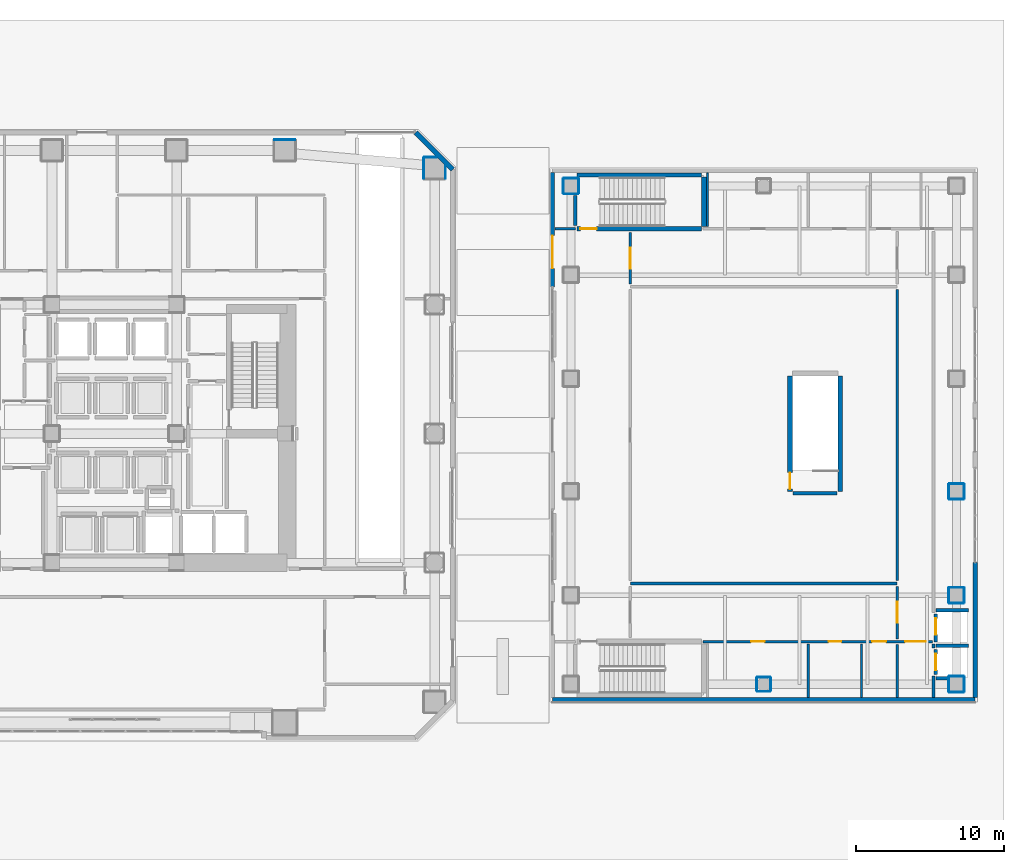
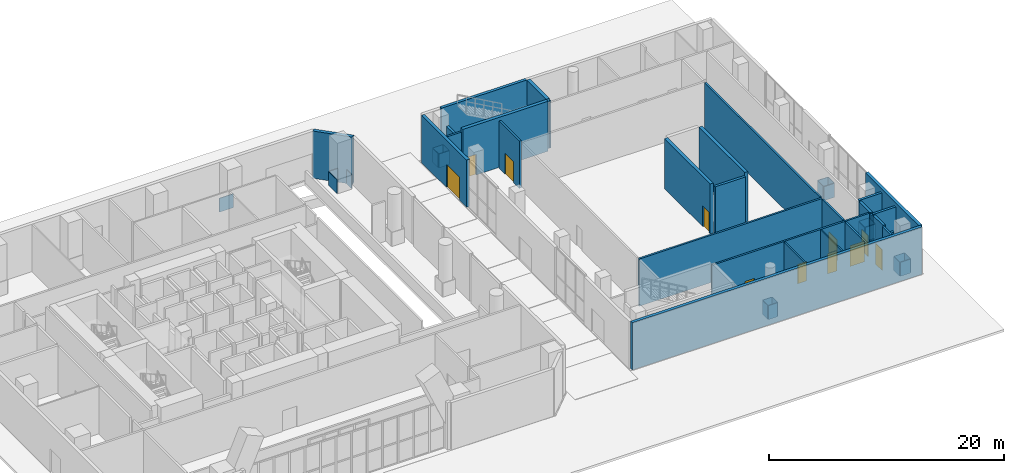
# One storey, part 24 of 30: 52 walls, 11 doors, 11 openings.
"""IFC4 building model written with IfcOpenShell, lengths in metres."""

from ifc_helpers import new_model, si_unit, direction, frame, frame_2d, origin, place, context, subcontext, project, spatial, rectangle, extrude, material, layer, layer_set, type_object, element, fill, save


model = new_model("IFC4")

# Units and contexts
model_context = context("Model", 3, precision=1e-05, world=origin(), true_north=direction((0.0, 1.0)))
body_context = subcontext(model_context, "Body", "Model", "MODEL_VIEW")
ifc_project = project(units=[si_unit("LENGTHUNIT", "METRE"), si_unit("AREAUNIT", "SQUARE_METRE"), si_unit("VOLUMEUNIT", "CUBIC_METRE"), si_unit("PLANEANGLEUNIT", "RADIAN"), si_unit("MASSUNIT", "GRAM", prefix="KILO")], contexts=[model_context])

# Site, building, storey
site_placement = place(None, origin())
site = spatial("IfcSite", under=ifc_project, at=site_placement, CompositionType="ELEMENT")
building_placement = place(site_placement, origin())
building = spatial("IfcBuilding", under=site, at=building_placement, Name="Solanera Arch Residences", CompositionType="ELEMENT")
storey_placement = place(building_placement, origin())
storey = spatial("IfcBuildingStorey", under=building, at=storey_placement, Name="L00", CompositionType="ELEMENT", Elevation=0.0)

# Walls
ifc_material_1 = material(Name="Fire-Rated Gypsum Stud Partition", Category="gypsum")
ifc_layer_1 = layer(ifc_material_1, 0.06005859375)
ifc_layer_set_1 = layer_set([ifc_layer_1], Name="Fire-Rated Gypsum Stud Partition")
wall_type_1 = type_object("IfcWallType", Name="Column Acoustic Furring Wall 60", PredefinedType="PARTITIONING", material=ifc_layer_set_1)
wall_1_placement = place(storey_placement, frame((35.800048828125, 50.531982421875, 0.0), z_axis=(0.0, 0.0, 1.0), x_axis=(1.0, 0.0, 0.0)))
element("IfcWall", 1, at=wall_1_placement, inside=storey, type_object=wall_type_1, Name="L00 Column Furring 14N", PredefinedType="PARTITIONING", context=body_context, shape_type="SweptSolid", body=[
    extrude(rectangle(XDim=1.39990234375, YDim=0.06005859375, at=frame_2d((0.699951171875, 0.0))), origin(), (0.0, 0.0, 1.0), 1.449951171875),
])
wall_2_placement = place(storey_placement, frame((45.89990234375, 49.33203125, 0.0), z_axis=(0.0, 0.0, 1.0), x_axis=(1.0, 0.0, 0.0)))
element("IfcWall", 2, at=wall_2_placement, inside=storey, type_object=wall_type_1, Name="L00 Column Furring 24N", PredefinedType="PARTITIONING", context=body_context, shape_type="SweptSolid", body=[
    extrude(rectangle(XDim=0.861083984375, YDim=0.06005859375, at=frame_2d((0.4306640625, 0.0))), origin(), (0.0, 0.0, 1.0), 1.449951171875),
])
wall_3_placement = place(storey_placement, frame((45.867919921875, 47.89990234375, 0.0), z_axis=(0.0, 0.0, 1.0), x_axis=(0.0, 1.0, 0.0)))
element("IfcWall", 3, at=wall_3_placement, inside=storey, type_object=wall_type_1, Name="L00 Column Furring 24W", PredefinedType="PARTITIONING", context=body_context, shape_type="SweptSolid", body=[
    extrude(rectangle(XDim=1.400146484375, YDim=0.06005859375, at=frame_2d((0.7001953125, 0.0))), origin(), (0.0, 0.0, 1.0), 1.449951171875),
])
wall_4_placement = place(storey_placement, frame((47.33203125, 47.89990234375, 0.0), z_axis=(0.0, 0.0, 1.0), x_axis=(0.0, 1.0, 0.0)))
element("IfcWall", 4, at=wall_4_placement, inside=storey, type_object=wall_type_1, Name="L00 Column Furring 24E", PredefinedType="PARTITIONING", context=body_context, shape_type="SweptSolid", body=[
    extrude(rectangle(XDim=0.861083984375, YDim=0.06005859375, at=frame_2d((0.4306640625, 0.0))), origin(), (0.0, 0.0, 1.0), 1.449951171875),
])
for number, where, z_axis, x_axis, name in (
    (5, (55.300048828125, 46.867919921875, 0.0), (0.0, 0.0, 1.0), (1.0, 0.0, 0.0), "L00 Column Furring 30S"),
    (6, (55.300048828125, 47.931884765625, 0.0), (0.0, 0.0, 1.0), (1.0, 0.0, 0.0), "L00 Column Furring 30N"),
    (7, (55.26806640625, 46.89990234375, 0.0), (0.0, 0.0, 1.0), (0.0, 1.0, 0.0), "L00 Column Furring 30W"),
    (8, (56.33203125, 46.89990234375, 0.0), (0.0, 0.0, 1.0), (0.0, 1.0, 0.0), "L00 Column Furring 30E"),
    (9, (81.300048828125, 13.26806640625, 0.0), (0.0, 0.0, 1.0), (1.0, 0.0, 0.0), "L00 Column Furring 31S"),
    (10, (81.300048828125, 14.33203125, 0.0), (0.0, 0.0, 1.0), (1.0, 0.0, 0.0), "L00 Column Furring 31N"),
    (11, (81.26806640625, 13.300048828125, 0.0), (0.0, 0.0, 1.0), (0.0, 1.0, 0.0), "L00 Column Furring 31W"),
    (12, (82.33203125, 13.300048828125, 0.0), (0.0, 0.0, 1.0), (0.0, 1.0, 0.0), "L00 Column Furring 31E"),
    (13, (81.300048828125, 19.26806640625, 0.0), (0.0, 0.0, 1.0), (1.0, 0.0, 0.0), "L00 Column Furring 32S"),
    (14, (81.300048828125, 20.33203125, 0.0), (0.0, 0.0, 1.0), (1.0, 0.0, 0.0), "L00 Column Furring 32N"),
    (15, (81.26806640625, 19.300048828125, 0.0), (0.0, 0.0, 1.0), (0.0, 1.0, 0.0), "L00 Column Furring 32W"),
    (16, (82.33203125, 19.300048828125, 0.0), (0.0, 0.0, 1.0), (0.0, 1.0, 0.0), "L00 Column Furring 32E"),
    (17, (81.300048828125, 26.26806640625, 0.0), (0.0, 0.0, 1.0), (1.0, 0.0, 0.0), "L00 Column Furring 33S"),
    (18, (81.300048828125, 27.33203125, 0.0), (0.0, 0.0, 1.0), (1.0, 0.0, 0.0), "L00 Column Furring 33N"),
    (19, (81.26806640625, 26.300048828125, 0.0), (0.0, 0.0, 1.0), (0.0, 1.0, 0.0), "L00 Column Furring 33W"),
    (20, (82.33203125, 26.300048828125, 0.0), (0.0, 0.0, 1.0), (0.0, 1.0, 0.0), "L00 Column Furring 33E"),
):
    element("IfcWall", number, at=place(storey_placement, frame(where, z_axis=z_axis, x_axis=x_axis)), inside=storey, type_object=wall_type_1, Name=name, PredefinedType="PARTITIONING", context=body_context, shape_type="SweptSolid", body=[
        extrude(rectangle(XDim=1.0, YDim=0.06005859375, at=frame_2d((0.5, 0.0))), origin(), (0.0, 0.0, 1.0), 1.449951171875),
    ])
for number, where, z_axis, x_axis, name in (
    (21, (68.35009765625, 13.318115234375, 0.0), (0.0, 0.0, 1.0), (1.0, 0.0, 0.0), "L00 Column Furring 37S"),
    (22, (68.35009765625, 14.281982421875, 0.0), (0.0, 0.0, 1.0), (1.0, 0.0, 0.0), "L00 Column Furring 37N"),
    (23, (68.318115234375, 13.35009765625, 0.0), (0.0, 0.0, 1.0), (0.0, 1.0, 0.0), "L00 Column Furring 37W"),
    (24, (69.281982421875, 13.35009765625, 0.0), (0.0, 0.0, 1.0), (0.0, 1.0, 0.0), "L00 Column Furring 37E"),
):
    element("IfcWall", number, at=place(storey_placement, frame(where, z_axis=z_axis, x_axis=x_axis)), inside=storey, type_object=wall_type_1, Name=name, PredefinedType="PARTITIONING", context=body_context, shape_type="SweptSolid", body=[
        extrude(rectangle(XDim=0.89990234375, YDim=0.06005859375, at=frame_2d((0.449951171875, 0.0))), origin(), (0.0, 0.0, 1.0), 1.449951171875),
    ])
ifc_material_2 = material(Name="Concrete C40/50 (f'c = 45 MPa)", Category="concrete")
ifc_layer_2 = layer(ifc_material_2, 0.320068359375)
ifc_layer_set_2 = layer_set([ifc_layer_2], Name="Concrete C40/50 (f'c = 45 MPa)")
wall_type_2 = type_object("IfcWallType", Name="Core Shear Wall CW-320", PredefinedType="SHEAR", material=ifc_layer_set_2)
wall_5_placement = place(storey_placement, frame((64.760009765625, 44.679931640625, 0.0), z_axis=(0.0, 0.0, 1.0), x_axis=(0.0, 1.0, 0.0)))
element("IfcWall", 25, at=wall_5_placement, inside=storey, type_object=wall_type_2, Name="L00 Stair ST-H2 East Shear Wall", PredefinedType="SHEAR", context=body_context, shape_type="SweptSolid", body=[
    extrude(rectangle(XDim=3.320068359375, YDim=0.320068359375, at=frame_2d((1.66015625, 0.0))), origin(), (0.0, 0.0, 1.0), 5.199951171875),
])
wall_6_placement = place(storey_placement, frame((56.199951171875, 48.139892578125, 0.0), z_axis=(0.0, 0.0, 1.0), x_axis=(1.0, 0.0, 0.0)))
element("IfcWall", 26, at=wall_6_placement, inside=storey, type_object=wall_type_2, Name="L00 Stair ST-H2 North Shear Wall", PredefinedType="SHEAR", context=body_context, shape_type="SweptSolid", body=[
    extrude(rectangle(XDim=8.400146484375, YDim=0.280029296875, at=frame_2d((4.2001953125, 0.0))), origin(), (0.0, 0.0, 1.0), 5.199951171875),
])

# Wall, opening, door
wall_7_placement = place(storey_placement, frame((56.199951171875, 44.52001953125, 0.0), z_axis=(0.0, 0.0, 1.0), x_axis=(1.0, 0.0, 0.0)))
wall_7 = element("IfcWall", 27, at=wall_7_placement, inside=storey, type_object=wall_type_2, Name="L00 Stair ST-H2 South Shear Wall", PredefinedType="SHEAR", context=body_context, shape_type="SweptSolid", body=[
    extrude(rectangle(XDim=8.400146484375, YDim=0.320068359375, at=frame_2d((4.2001953125, 0.0))), origin(), (0.0, 0.0, 1.0), 5.199951171875),
])
opening_1_placement = place(wall_7_placement, frame((0.22998046875, 0.0, 0.0)))
opening_1 = element("IfcOpeningElement", 28, at=opening_1_placement, cuts=wall_7, Name="Opening DF-01", PredefinedType="OPENING", context=body_context, shape_type="SweptSolid", body=[
    extrude(rectangle(XDim=1.10009765625, YDim=2.14990234375, at=frame_2d((0.550048828125, 1.074951171875))), frame((0.0, 0.169921875, 0.0), z_axis=(0.0, -1.0, 0.0), x_axis=(1.0, 0.0, 0.0)), (0.0, 0.0, 1.0), 0.3401),
])
ifc_material_3 = material(Name="Fire-Rated Architectural Hardwood", Category="wood")
door_type_1 = type_object("IfcDoorType", Name="Stair Exit Fire Door DF-01", OperationType="NOTDEFINED", PredefinedType="DOOR", material=ifc_material_3)
door_1_placement = place(opening_1_placement, origin())
door_1 = element("IfcDoor", 29, at=door_1_placement, inside=storey, type_object=door_type_1, Name="DR-L00-STAIR-ST-H2", OperationType="SINGLE_SWING_LEFT", OverallHeight=2.14990234375, OverallWidth=1.10009765625, PredefinedType="DOOR", context=body_context, shape_type="SweptSolid", body=[
    extrude(rectangle(XDim=1.10009765625, YDim=2.14990234375, at=frame_2d((0.550048828125, 1.074951171875))), frame((0.0, 0.02490234375, 0.0), z_axis=(0.0, -1.0, 0.0), x_axis=(1.0, 0.0, 0.0)), (0.0, 0.0, 1.0), 0.050048828125),
])
fill(opening_1, door_1)

# Wall
wall_8_placement = place(storey_placement, frame((73.9599609375, 26.800048828125, 0.0), z_axis=(0.0, 0.0, 1.0), x_axis=(0.0, 1.0, 0.0)))
element("IfcWall", 30, at=wall_8_placement, inside=storey, type_object=wall_type_2, Name="L00 Stair ST-B1 East Shear Wall", PredefinedType="SHEAR", context=body_context, shape_type="SweptSolid", body=[
    extrude(rectangle(XDim=7.800048828125, YDim=0.320068359375, at=frame_2d((3.89990234375, 0.0))), origin(), (0.0, 0.0, 1.0), 5.199951171875),
])

# Wall, opening, door
wall_9_placement = place(storey_placement, frame((70.56005859375, 26.800048828125, 0.0), z_axis=(0.0, 0.0, 1.0), x_axis=(0.0, 1.0, 0.0)))
wall_9 = element("IfcWall", 31, at=wall_9_placement, inside=storey, type_object=wall_type_2, Name="L00 Stair ST-B1 West Shear Wall", PredefinedType="SHEAR", context=body_context, shape_type="SweptSolid", body=[
    extrude(rectangle(XDim=7.800048828125, YDim=0.320068359375, at=frame_2d((3.89990234375, 0.0))), origin(), (0.0, 0.0, 1.0), 5.199951171875),
])
opening_2_placement = place(wall_9_placement, frame((0.169921875, 0.0, 0.0)))
opening_2 = element("IfcOpeningElement", 32, at=opening_2_placement, cuts=wall_9, Name="Opening DF-01", PredefinedType="OPENING", context=body_context, shape_type="SweptSolid", body=[
    extrude(rectangle(XDim=1.10009765625, YDim=2.14990234375, at=frame_2d((0.550048828125, 1.074951171875))), frame((0.0, 0.169921875, 0.0), z_axis=(0.0, -1.0, 0.0), x_axis=(1.0, 0.0, 0.0)), (0.0, 0.0, 1.0), 0.3401),
])
door_2_placement = place(opening_2_placement, origin())
door_2 = element("IfcDoor", 33, at=door_2_placement, inside=storey, type_object=door_type_1, Name="DR-L00-STAIR-ST-B1", OperationType="SINGLE_SWING_RIGHT", OverallHeight=2.14990234375, OverallWidth=1.10009765625, PredefinedType="DOOR", context=body_context, shape_type="SweptSolid", body=[
    extrude(rectangle(XDim=1.10009765625, YDim=2.14990234375, at=frame_2d((0.550048828125, 1.074951171875))), frame((0.0, 0.02490234375, 0.0), z_axis=(0.0, -1.0, 0.0), x_axis=(1.0, 0.0, 0.0)), (0.0, 0.0, 1.0), 0.050048828125),
])
fill(opening_2, door_2)

# Wall, openings, doors
ifc_material_4 = material(Name="Autoclaved Aerated Concrete Blockwork", Category="masonry")
ifc_layer_3 = layer(ifc_material_4, 0.179931640625)
ifc_layer_set_3 = layer_set([ifc_layer_3], Name="Autoclaved Aerated Concrete Blockwork")
wall_type_3 = type_object("IfcWallType", Name="Corridor Fire Partition 180", PredefinedType="PARTITIONING", material=ifc_layer_set_3)
wall_10_placement = place(storey_placement, frame((64.699951171875, 16.679931640625, 0.0), z_axis=(0.0, 0.0, 1.0), x_axis=(1.0, 0.0, 0.0)))
wall_10 = element("IfcWall", 34, at=wall_10_placement, inside=storey, type_object=wall_type_3, Name="L00 Interior Partition H13 2", PredefinedType="PARTITIONING", context=body_context, shape_type="SweptSolid", body=[
    extrude(rectangle(XDim=15.48193359375, YDim=0.179931640625, at=frame_2d((7.740966796875, 0.0))), origin(), (0.0, 0.0, 1.0), 4.919921875),
])
opening_3_placement = place(wall_10_placement, frame((13.625, 0.0, 0.0)))
opening_3 = element("IfcOpeningElement", 35, at=opening_3_placement, cuts=wall_10, Name="Opening DF-03", PredefinedType="OPENING", context=body_context, shape_type="SweptSolid", body=[
    extrude(rectangle(XDim=1.39990234375, YDim=2.14990234375, at=frame_2d((0.699951171875, 1.074951171875))), frame((0.0, 0.10009765625, 0.0), z_axis=(0.0, -1.0, 0.0), x_axis=(1.0, 0.0, 0.0)), (0.0, 0.0, 1.0), 0.1999),
])
opening_4_placement = place(wall_10_placement, frame((3.25, 0.0, 0.0)))
opening_4 = element("IfcOpeningElement", 36, at=opening_4_placement, cuts=wall_10, Name="Opening DI-02", PredefinedType="OPENING", context=body_context, shape_type="SweptSolid", body=[
    extrude(rectangle(XDim=0.89990234375, YDim=2.10009765625, at=frame_2d((0.449951171875, 1.050048828125))), frame((0.0, 0.10009765625, 0.0), z_axis=(0.0, -1.0, 0.0), x_axis=(1.0, 0.0, 0.0)), (0.0, 0.0, 1.0), 0.1999),
])
opening_5_placement = place(wall_10_placement, frame((8.469970703125, 0.0, 0.0)))
opening_5 = element("IfcOpeningElement", 37, at=opening_5_placement, cuts=wall_10, Name="Opening DI-05", PredefinedType="OPENING", context=body_context, shape_type="SweptSolid", body=[
    extrude(rectangle(XDim=0.860107421875, YDim=2.02001953125, at=frame_2d((0.43017578125, 1.010009765625))), frame((0.0, 0.10009765625, 0.0), z_axis=(0.0, -1.0, 0.0), x_axis=(1.0, 0.0, 0.0)), (0.0, 0.0, 1.0), 0.1999),
])
opening_6_placement = place(wall_10_placement, frame((11.40087890625, 0.0, 0.0)))
opening_6 = element("IfcOpeningElement", 38, at=opening_6_placement, cuts=wall_10, Name="Opening DI-04", PredefinedType="OPENING", context=body_context, shape_type="SweptSolid", body=[
    extrude(rectangle(XDim=0.949951171875, YDim=2.10009765625, at=frame_2d((0.47509765625, 1.050048828125))), frame((0.0, 0.10009765625, 0.0), z_axis=(0.0, -1.0, 0.0), x_axis=(1.0, 0.0, 0.0)), (0.0, 0.0, 1.0), 0.1999),
])
ifc_material_5 = material(Name="Fire-Rated Architectural Hardwood", Category="wood")
door_type_2 = type_object("IfcDoorType", Name="Accessible Restroom Door DI-04", OperationType="NOTDEFINED", PredefinedType="DOOR", material=ifc_material_5)
door_3_placement = place(opening_6_placement, origin())
door_3 = element("IfcDoor", 39, at=door_3_placement, inside=storey, type_object=door_type_2, Name="DR-L00-IN-045", OperationType="SINGLE_SWING_LEFT", OverallHeight=2.10009765625, OverallWidth=0.949951171875, PredefinedType="DOOR", context=body_context, shape_type="SweptSolid", body=[
    extrude(rectangle(XDim=0.949951171875, YDim=2.10009765625, at=frame_2d((0.47509765625, 1.050048828125))), frame((0.0, 0.02490234375, 0.0), z_axis=(0.0, -1.0, 0.0), x_axis=(1.0, 0.0, 0.0)), (0.0, 0.0, 1.0), 0.050048828125),
])
fill(opening_6, door_3)
ifc_material_6 = material(Name="Fire-Rated Architectural Hardwood", Category="wood")
door_type_3 = type_object("IfcDoorType", Name="Bathroom Swing Door DI-05", OperationType="NOTDEFINED", PredefinedType="DOOR", material=ifc_material_6)
door_4_placement = place(opening_5_placement, origin())
door_4 = element("IfcDoor", 40, at=door_4_placement, inside=storey, type_object=door_type_3, Name="DR-L00-IN-044", OperationType="SINGLE_SWING_RIGHT", OverallHeight=2.02001953125, OverallWidth=0.860107421875, PredefinedType="DOOR", context=body_context, shape_type="SweptSolid", body=[
    extrude(rectangle(XDim=0.860107421875, YDim=2.02001953125, at=frame_2d((0.43017578125, 1.010009765625))), frame((0.0, 0.02490234375, 0.0), z_axis=(0.0, -1.0, 0.0), x_axis=(1.0, 0.0, 0.0)), (0.0, 0.0, 1.0), 0.050048828125),
])
fill(opening_5, door_4)
ifc_material_7 = material(Name="Fire-Rated Architectural Hardwood", Category="wood")
door_type_4 = type_object("IfcDoorType", Name="Corridor Smoke Door DF-03", OperationType="NOTDEFINED", PredefinedType="DOOR", material=ifc_material_7)
door_5_placement = place(opening_3_placement, origin())
door_5 = element("IfcDoor", 41, at=door_5_placement, inside=storey, type_object=door_type_4, Name="DR-L00-IN-028", OperationType="SINGLE_SWING_RIGHT", OverallHeight=2.14990234375, OverallWidth=1.39990234375, PredefinedType="DOOR", context=body_context, shape_type="SweptSolid", body=[
    extrude(rectangle(XDim=1.39990234375, YDim=2.14990234375, at=frame_2d((0.699951171875, 1.074951171875))), frame((0.0, 0.02490234375, 0.0), z_axis=(0.0, -1.0, 0.0), x_axis=(1.0, 0.0, 0.0)), (0.0, 0.0, 1.0), 0.050048828125),
])
fill(opening_3, door_5)
ifc_material_8 = material(Name="Fire-Rated Architectural Hardwood", Category="wood")
door_type_5 = type_object("IfcDoorType", Name="Suite Room Swing Door DI-02", OperationType="NOTDEFINED", PredefinedType="DOOR", material=ifc_material_8)
door_6_placement = place(opening_4_placement, origin())
door_6 = element("IfcDoor", 42, at=door_6_placement, inside=storey, type_object=door_type_5, Name="DR-L00-IN-043", OperationType="SINGLE_SWING_LEFT", OverallHeight=2.10009765625, OverallWidth=0.89990234375, PredefinedType="DOOR", context=body_context, shape_type="SweptSolid", body=[
    extrude(rectangle(XDim=0.89990234375, YDim=2.10009765625, at=frame_2d((0.449951171875, 1.050048828125))), frame((0.0, 0.02490234375, 0.0), z_axis=(0.0, -1.0, 0.0), x_axis=(1.0, 0.0, 0.0)), (0.0, 0.0, 1.0), 0.050048828125),
])
fill(opening_4, door_6)

# Walls
wall_11_placement = place(storey_placement, frame((59.800048828125, 20.60009765625, 0.0), z_axis=(0.0, 0.0, 1.0), x_axis=(1.0, 0.0, 0.0)))
element("IfcWall", 43, at=wall_11_placement, inside=storey, type_object=wall_type_3, Name="L00 Interior Partition H14", PredefinedType="PARTITIONING", context=body_context, shape_type="SweptSolid", body=[
    extrude(rectangle(XDim=18.0, YDim=0.179931640625, at=frame_2d((9.0, 0.0))), origin(), (0.0, 0.0, 1.0), 4.919921875),
])
wall_12_placement = place(storey_placement, frame((54.7119140625, 44.52001953125, 0.0), z_axis=(0.0, 0.0, 1.0), x_axis=(1.0, 0.0, 0.0)))
element("IfcWall", 44, at=wall_12_placement, inside=storey, type_object=wall_type_3, Name="L00 Interior Partition H22 1", PredefinedType="PARTITIONING", context=body_context, shape_type="SweptSolid", body=[
    extrude(rectangle(XDim=1.38818359375, YDim=0.179931640625, at=frame_2d((0.694091796875, 0.0))), origin(), (0.0, 0.0, 1.0), 4.919921875),
])

# Wall, opening, door
wall_13_placement = place(storey_placement, frame((59.800048828125, 40.7880859375, 0.0), z_axis=(0.0, 0.0, 1.0), x_axis=(0.0, 1.0, 0.0)))
wall_13 = element("IfcWall", 45, at=wall_13_placement, inside=storey, type_object=wall_type_3, Name="L00 Interior Partition V19 3", PredefinedType="PARTITIONING", context=body_context, shape_type="SweptSolid", body=[
    extrude(rectangle(XDim=3.471923828125, YDim=0.179931640625, at=frame_2d((1.73583984375, 0.0))), origin(), (0.0, 0.0, 1.0), 4.919921875),
])
opening_7_placement = place(wall_13_placement, frame((1.048095703125, 0.0, 0.0)))
opening_7 = element("IfcOpeningElement", 46, at=opening_7_placement, cuts=wall_13, Name="Opening DF-03", PredefinedType="OPENING", context=body_context, shape_type="SweptSolid", body=[
    extrude(rectangle(XDim=1.39990234375, YDim=2.14990234375, at=frame_2d((0.699951171875, 1.074951171875))), frame((0.0, 0.10009765625, 0.0), z_axis=(0.0, -1.0, 0.0), x_axis=(1.0, 0.0, 0.0)), (0.0, 0.0, 1.0), 0.1999),
])
door_7_placement = place(opening_7_placement, origin())
door_7 = element("IfcDoor", 47, at=door_7_placement, inside=storey, type_object=door_type_4, Name="DR-L00-IN-025", OperationType="SINGLE_SWING_LEFT", OverallHeight=2.14990234375, OverallWidth=1.39990234375, PredefinedType="DOOR", context=body_context, shape_type="SweptSolid", body=[
    extrude(rectangle(XDim=1.39990234375, YDim=2.14990234375, at=frame_2d((0.699951171875, 1.074951171875))), frame((0.0, 0.02490234375, 0.0), z_axis=(0.0, -1.0, 0.0), x_axis=(1.0, 0.0, 0.0)), (0.0, 0.0, 1.0), 0.050048828125),
])
fill(opening_7, door_7)

# Wall
wall_14_placement = place(storey_placement, frame((77.800048828125, 12.912109375, 0.0), z_axis=(0.0, 0.0, 1.0), x_axis=(0.0, 1.0, 0.0)))
element("IfcWall", 48, at=wall_14_placement, inside=storey, type_object=wall_type_3, Name="L00 Interior Partition V20 1", PredefinedType="PARTITIONING", context=body_context, shape_type="SweptSolid", body=[
    extrude(rectangle(XDim=3.579833984375, YDim=0.179931640625, at=frame_2d((1.7900390625, 0.0))), origin(), (0.0, 0.0, 1.0), 4.919921875),
])

# Wall, opening, door
wall_15_placement = place(storey_placement, frame((77.800048828125, 16.867919921875, 0.0), z_axis=(0.0, 0.0, 1.0), x_axis=(0.0, 1.0, 0.0)))
wall_15 = element("IfcWall", 49, at=wall_15_placement, inside=storey, type_object=wall_type_3, Name="L00 Interior Partition V20 2", PredefinedType="PARTITIONING", context=body_context, shape_type="SweptSolid", body=[
    extrude(rectangle(XDim=3.544189453125, YDim=0.179931640625, at=frame_2d((1.77197265625, 0.0))), origin(), (0.0, 0.0, 1.0), 4.919921875),
])
opening_8_placement = place(wall_15_placement, frame((1.095947265625, 0.0, 0.0)))
opening_8 = element("IfcOpeningElement", 50, at=opening_8_placement, cuts=wall_15, Name="Opening DF-03", PredefinedType="OPENING", context=body_context, shape_type="SweptSolid", body=[
    extrude(rectangle(XDim=1.39990234375, YDim=2.14990234375, at=frame_2d((0.699951171875, 1.074951171875))), frame((0.0, 0.10009765625, 0.0), z_axis=(0.0, -1.0, 0.0), x_axis=(1.0, 0.0, 0.0)), (0.0, 0.0, 1.0), 0.1999),
])
door_8_placement = place(opening_8_placement, origin())
door_8 = element("IfcDoor", 51, at=door_8_placement, inside=storey, type_object=door_type_4, Name="DR-L00-IN-026", OperationType="SINGLE_SWING_RIGHT", OverallHeight=2.14990234375, OverallWidth=1.39990234375, PredefinedType="DOOR", context=body_context, shape_type="SweptSolid", body=[
    extrude(rectangle(XDim=1.39990234375, YDim=2.14990234375, at=frame_2d((0.699951171875, 1.074951171875))), frame((0.0, 0.02490234375, 0.0), z_axis=(0.0, -1.0, 0.0), x_axis=(1.0, 0.0, 0.0)), (0.0, 0.0, 1.0), 0.050048828125),
])
fill(opening_8, door_8)

# Walls
wall_16_placement = place(storey_placement, frame((77.800048828125, 20.7880859375, 0.0), z_axis=(0.0, 0.0, 1.0), x_axis=(0.0, 1.0, 0.0)))
element("IfcWall", 52, at=wall_16_placement, inside=storey, type_object=wall_type_3, Name="L00 Interior Partition V20 3", PredefinedType="PARTITIONING", context=body_context, shape_type="SweptSolid", body=[
    extrude(rectangle(XDim=19.6240234375, YDim=0.179931640625, at=frame_2d((9.81201171875, 0.0))), origin(), (0.0, 0.0, 1.0), 4.919921875),
])
wall_17_placement = place(storey_placement, frame((80.25, 12.912109375, 0.0), z_axis=(0.0, 0.0, 1.0), x_axis=(0.0, 1.0, 0.0)))
element("IfcWall", 53, at=wall_17_placement, inside=storey, type_object=wall_type_3, Name="L00 Interior Partition V21 1", PredefinedType="PARTITIONING", context=body_context, shape_type="SweptSolid", body=[
    extrude(rectangle(XDim=1.44287109375, YDim=0.179931640625, at=frame_2d((0.721435546875, 0.0))), origin(), (0.0, 0.0, 1.0), 4.919921875),
])
wall_18_placement = place(storey_placement, frame((80.25, 16.2451171875, 0.0), z_axis=(0.0, 0.0, 1.0), x_axis=(0.0, 1.0, 0.0)))
element("IfcWall", 54, at=wall_18_placement, inside=storey, type_object=wall_type_3, Name="L00 Interior Partition V21 2", PredefinedType="PARTITIONING", context=body_context, shape_type="SweptSolid", body=[
    extrude(rectangle(XDim=0.27490234375, YDim=0.179931640625, at=frame_2d((0.137451171875, 0.0))), origin(), (0.0, 0.0, 1.0), 4.919921875),
])
ifc_material_9 = material(Name="Precast Concrete C35/45", Category="concrete")
ifc_layer_4 = layer(ifc_material_9, 0.300048828125)
ifc_layer_set_4 = layer_set([ifc_layer_4], Name="Precast Concrete C35/45")
wall_type_4 = type_object("IfcWallType", Name="Exterior Wall Precast Masonry-Frame 300", PredefinedType="STANDARD", material=ifc_layer_set_4)
wall_19_placement = place(storey_placement, frame((83.050048828125, 12.75, 0.0), z_axis=(0.0, 0.0, 1.0), x_axis=(-1.0, 0.0, 0.0)))
element("IfcWall", 55, at=wall_19_placement, inside=storey, type_object=wall_type_4, Name="L00 Sports Hall Exterior Precast Wall S", PredefinedType="STANDARD", context=body_context, shape_type="SweptSolid", body=[
    extrude(rectangle(XDim=28.5, YDim=0.300048828125, at=frame_2d((14.25, 0.0))), origin(), (0.0, 0.0, 1.0), 4.919921875),
])

# Wall, opening, door
wall_20_placement = place(storey_placement, frame((54.550048828125, 40.60009765625, 0.0), z_axis=(0.0, 0.0, 1.0), x_axis=(0.0, 1.0, 0.0)))
wall_20 = element("IfcWall", 56, at=wall_20_placement, inside=storey, type_object=wall_type_4, Name="L00 Sports Hall West Pier 3", PredefinedType="STANDARD", context=body_context, shape_type="SweptSolid", body=[
    extrude(rectangle(XDim=7.699951171875, YDim=0.300048828125, at=frame_2d((3.85009765625, 0.0))), origin(), (0.0, 0.0, 1.0), 4.919921875),
])
opening_9_placement = place(wall_20_placement, frame((1.25, 0.0, 0.0)))
opening_9 = element("IfcOpeningElement", 57, at=opening_9_placement, cuts=wall_20, Name="Opening EX-03", PredefinedType="OPENING", context=body_context, shape_type="SweptSolid", body=[
    extrude(rectangle(XDim=2.199951171875, YDim=2.39990234375, at=frame_2d((1.10009765625, 1.199951171875))), frame((0.0, 0.159912109375, 0.0), z_axis=(0.0, -1.0, 0.0), x_axis=(1.0, 0.0, 0.0)), (0.0, 0.0, 1.0), 0.32),
])
ifc_material_10 = material(Name="Anodised Aluminium Alloy 6063-T6", Category="aluminium")
door_type_6 = type_object("IfcDoorType", Name="Arena Public Exit Double Door EX-03", OperationType="NOTDEFINED", PredefinedType="DOOR", material=ifc_material_10)
door_9_placement = place(opening_9_placement, origin())
door_9 = element("IfcDoor", 58, at=door_9_placement, inside=storey, type_object=door_type_6, Name="DR-L00-EX-SH-W3", OperationType="DOUBLE_DOOR_SINGLE_SWING", OverallHeight=2.39990234375, OverallWidth=2.199951171875, PredefinedType="DOOR", context=body_context, shape_type="SweptSolid", body=[
    extrude(rectangle(XDim=2.199951171875, YDim=2.39990234375, at=frame_2d((1.10009765625, 1.199951171875))), frame((0.0, 0.02490234375, 0.0), z_axis=(0.0, -1.0, 0.0), x_axis=(1.0, 0.0, 0.0)), (0.0, 0.0, 1.0), 0.050048828125),
])
fill(opening_9, door_9)

# Walls
wall_21_placement = place(storey_placement, frame((83.050048828125, 22.0, 0.0), z_axis=(0.0, 0.0, 1.0), x_axis=(0.0, -1.0, 0.0)))
element("IfcWall", 59, at=wall_21_placement, inside=storey, type_object=wall_type_4, Name="L00 Sports Hall East Pier 3", PredefinedType="STANDARD", context=body_context, shape_type="SweptSolid", body=[
    extrude(rectangle(XDim=9.10009765625, YDim=0.300048828125, at=frame_2d((4.550048828125, 0.0))), origin(), (0.0, 0.0, 1.0), 4.919921875),
])
ifc_material_11 = material(Name="Precast Concrete C35/45", Category="concrete")
ifc_layer_5 = layer(ifc_material_11, 0.320068359375)
ifc_layer_set_5 = layer_set([ifc_layer_5], Name="Precast Concrete C35/45")
wall_type_5 = type_object("IfcWallType", Name="Exterior Wall Precast Masonry-Frame 320", PredefinedType="STANDARD", material=ifc_layer_set_5)
wall_22_placement = place(storey_placement, frame((45.320068359375, 51.02001953125, 0.0), z_axis=(0.0, 0.0, 1.0), x_axis=(0.707106781187, -0.707106781187, 0.0)))
element("IfcWall", 60, at=wall_22_placement, inside=storey, type_object=wall_type_5, Name="L00 Podium Precast Masonry-Frame Wall 4", PredefinedType="STANDARD", context=body_context, shape_type="SweptSolid", body=[
    extrude(rectangle(XDim=3.53564453125, YDim=0.320068359375, at=frame_2d((1.767822265625, 0.0))), origin(), (0.0, 0.0, 1.0), 4.919921875),
])
ifc_material_12 = material(Name="Autoclaved Aerated Concrete Blockwork", Category="masonry")
ifc_layer_6 = layer(ifc_material_12, 0.239990234375)
ifc_layer_set_6 = layer_set([ifc_layer_6], Name="Autoclaved Aerated Concrete Blockwork")
wall_type_6 = type_object("IfcWallType", Name="Shaft Wall Fire-Rated 240", PredefinedType="PARTITIONING", material=ifc_layer_set_6)
wall_23_placement = place(storey_placement, frame((56.080078125, 44.72998046875, 0.0), z_axis=(0.0, 0.0, 1.0), x_axis=(0.0, 1.0, 0.0)))
element("IfcWall", 61, at=wall_23_placement, inside=storey, type_object=wall_type_6, Name="L00 Stair ST-H2 West Wall", PredefinedType="PARTITIONING", context=body_context, shape_type="SweptSolid", body=[
    extrude(rectangle(XDim=2.0380859375, YDim=0.239990234375, at=frame_2d((1.01904296875, 0.0))), origin(), (0.0, 0.0, 1.0), 4.155029296875),
])
wall_24_placement = place(storey_placement, frame((70.77001953125, 26.679931640625, 0.0), z_axis=(0.0, 0.0, 1.0), x_axis=(1.0, 0.0, 0.0)))
element("IfcWall", 62, at=wall_24_placement, inside=storey, type_object=wall_type_6, Name="L00 Stair ST-B1 South Wall", PredefinedType="PARTITIONING", context=body_context, shape_type="SweptSolid", body=[
    extrude(rectangle(XDim=2.97998046875, YDim=0.239990234375, at=frame_2d((1.489990234375, 0.0))), origin(), (0.0, 0.0, 1.0), 4.919921875),
])
wall_25_placement = place(storey_placement, frame((80.39990234375, 14.199951171875, 0.0), z_axis=(0.0, 0.0, 1.0), x_axis=(1.0, 0.0, 0.0)))
element("IfcWall", 63, at=wall_25_placement, inside=storey, type_object=wall_type_6, Name="L00 Lift PL-SH1 Hoistway Wall S", PredefinedType="PARTITIONING", context=body_context, shape_type="SweptSolid", body=[
    extrude(rectangle(XDim=0.76806640625, YDim=0.239990234375, at=frame_2d((0.384033203125, 0.0))), origin(), (0.0, 0.0, 1.0), 4.155029296875),
])
wall_26_placement = place(storey_placement, frame((80.39990234375, 16.39990234375, 0.0), z_axis=(0.0, 0.0, 1.0), x_axis=(1.0, 0.0, 0.0)))
element("IfcWall", 64, at=wall_26_placement, inside=storey, type_object=wall_type_6, Name="L00 Lift PL-SH1 Hoistway Wall N", PredefinedType="PARTITIONING", context=body_context, shape_type="SweptSolid", body=[
    extrude(rectangle(XDim=2.2001953125, YDim=0.239990234375, at=frame_2d((1.10009765625, 0.0))), origin(), (0.0, 0.0, 1.0), 4.919921875),
])

# Wall, opening, door
wall_27_placement = place(storey_placement, frame((80.39990234375, 14.447998046875, 0.0), z_axis=(0.0, 0.0, 1.0), x_axis=(0.0, 1.0, 0.0)))
wall_27 = element("IfcWall", 65, at=wall_27_placement, inside=storey, type_object=wall_type_6, Name="L00 Lift PL-SH1 Hoistway Wall W", PredefinedType="PARTITIONING", context=body_context, shape_type="SweptSolid", body=[
    extrude(rectangle(XDim=1.7041015625, YDim=0.239990234375, at=frame_2d((0.85205078125, 0.0))), origin(), (0.0, 0.0, 1.0), 4.919921875),
])
opening_10_placement = place(wall_27_placement, frame((0.302001953125, 0.0, 0.0)))
opening_10 = element("IfcOpeningElement", 66, at=opening_10_placement, cuts=wall_27, Name="Opening LD-01", PredefinedType="OPENING", context=body_context, shape_type="SweptSolid", body=[
    extrude(rectangle(XDim=1.10009765625, YDim=2.14990234375, at=frame_2d((0.550048828125, 1.074951171875))), frame((0.0, 0.1298828125, 0.0), z_axis=(0.0, -1.0, 0.0), x_axis=(1.0, 0.0, 0.0)), (0.0, 0.0, 1.0), 0.26),
])
ifc_material_13 = material(Name="Anodised Aluminium Alloy 6063-T6", Category="aluminium")
door_type_7 = type_object("IfcDoorType", Name="Lift Landing Sliding Door LD-01", OperationType="NOTDEFINED", PredefinedType="DOOR", material=ifc_material_13)
door_10_placement = place(opening_10_placement, origin())
door_10 = element("IfcDoor", 67, at=door_10_placement, inside=storey, type_object=door_type_7, Name="DR-L00-LIFT-PL-SH1", OperationType="SLIDING_TO_LEFT", OverallHeight=2.14990234375, OverallWidth=1.10009765625, PredefinedType="DOOR", context=body_context, shape_type="SweptSolid", body=[
    extrude(rectangle(XDim=1.10009765625, YDim=2.14990234375, at=frame_2d((0.550048828125, 1.074951171875))), frame((0.0, 0.02490234375, 0.0), z_axis=(0.0, -1.0, 0.0), x_axis=(1.0, 0.0, 0.0)), (0.0, 0.0, 1.0), 0.050048828125),
])
fill(opening_10, door_10)

# Wall
wall_28_placement = place(storey_placement, frame((80.39990234375, 18.800048828125, 0.0), z_axis=(0.0, 0.0, 1.0), x_axis=(1.0, 0.0, 0.0)))
element("IfcWall", 68, at=wall_28_placement, inside=storey, type_object=wall_type_6, Name="L00 Lift PL-SH2 Hoistway Wall N", PredefinedType="PARTITIONING", context=body_context, shape_type="SweptSolid", body=[
    extrude(rectangle(XDim=2.2001953125, YDim=0.239990234375, at=frame_2d((1.10009765625, 0.0))), origin(), (0.0, 0.0, 1.0), 4.919921875),
])

# Wall, opening, door
wall_29_placement = place(storey_placement, frame((80.39990234375, 16.64794921875, 0.0), z_axis=(0.0, 0.0, 1.0), x_axis=(0.0, 1.0, 0.0)))
wall_29 = element("IfcWall", 69, at=wall_29_placement, inside=storey, type_object=wall_type_6, Name="L00 Lift PL-SH2 Hoistway Wall W", PredefinedType="PARTITIONING", context=body_context, shape_type="SweptSolid", body=[
    extrude(rectangle(XDim=1.904052734375, YDim=0.239990234375, at=frame_2d((0.9521484375, 0.0))), origin(), (0.0, 0.0, 1.0), 4.919921875),
])
opening_11_placement = place(wall_29_placement, frame((0.501953125, 0.0, 0.0)))
opening_11 = element("IfcOpeningElement", 70, at=opening_11_placement, cuts=wall_29, Name="Opening LD-01", PredefinedType="OPENING", context=body_context, shape_type="SweptSolid", body=[
    extrude(rectangle(XDim=1.10009765625, YDim=2.14990234375, at=frame_2d((0.550048828125, 1.074951171875))), frame((0.0, 0.1298828125, 0.0), z_axis=(0.0, -1.0, 0.0), x_axis=(1.0, 0.0, 0.0)), (0.0, 0.0, 1.0), 0.26),
])
door_11_placement = place(opening_11_placement, origin())
door_11 = element("IfcDoor", 71, at=door_11_placement, inside=storey, type_object=door_type_7, Name="DR-L00-LIFT-PL-SH2", OperationType="SLIDING_TO_RIGHT", OverallHeight=2.14990234375, OverallWidth=1.10009765625, PredefinedType="DOOR", context=body_context, shape_type="SweptSolid", body=[
    extrude(rectangle(XDim=1.10009765625, YDim=2.14990234375, at=frame_2d((0.550048828125, 1.074951171875))), frame((0.0, 0.02490234375, 0.0), z_axis=(0.0, -1.0, 0.0), x_axis=(1.0, 0.0, 0.0)), (0.0, 0.0, 1.0), 0.050048828125),
])
fill(opening_11, door_11)

# Walls
ifc_material_14 = material(Name="Fire-Rated Gypsum Stud Partition", Category="gypsum")
ifc_layer_7 = layer(ifc_material_14, 0.1201171875)
ifc_layer_set_7 = layer_set([ifc_layer_7], Name="Fire-Rated Gypsum Stud Partition")
wall_type_7 = type_object("IfcWallType", Name="Unit Drywall Partition 120", PredefinedType="PARTITIONING", material=ifc_layer_set_7)
wall_30_placement = place(storey_placement, frame((65.0, 44.677978515625, 0.0), z_axis=(0.0, 0.0, 1.0), x_axis=(0.0, 1.0, 0.0)))
element("IfcWall", 72, at=wall_30_placement, inside=storey, type_object=wall_type_7, Name="L00 Interior Partition V29", PredefinedType="PARTITIONING", context=body_context, shape_type="SweptSolid", body=[
    extrude(rectangle(XDim=3.610107421875, YDim=0.1201171875, at=frame_2d((1.80517578125, 0.0))), origin(), (0.0, 0.0, 1.0), 4.919921875),
])
ifc_material_15 = material(Name="Autoclaved Aerated Concrete Blockwork", Category="masonry")
ifc_layer_8 = layer(ifc_material_15, 0.139892578125)
ifc_layer_set_8 = layer_set([ifc_layer_8], Name="Autoclaved Aerated Concrete Blockwork")
wall_type_8 = type_object("IfcWallType", Name="Wet-Room Partition 140", PredefinedType="PARTITIONING", material=ifc_layer_set_8)
for number, where, z_axis, x_axis, name in (
    (73, (71.800048828125, 12.912109375, 0.0), (0.0, 0.0, 1.0), (0.0, 1.0, 0.0), "L00 Interior Partition V23"),
    (74, (75.39990234375, 12.912109375, 0.0), (0.0, 0.0, 1.0), (0.0, 1.0, 0.0), "L00 Interior Partition V25"),
):
    element("IfcWall", number, at=place(storey_placement, frame(where, z_axis=z_axis, x_axis=x_axis)), inside=storey, type_object=wall_type_8, Name=name, PredefinedType="PARTITIONING", context=body_context, shape_type="SweptSolid", body=[
        extrude(rectangle(XDim=3.599853515625, YDim=0.139892578125, at=frame_2d((1.7998046875, 0.0))), origin(), (0.0, 0.0, 1.0), 4.919921875),
    ])

save(model, "model.ifc")
